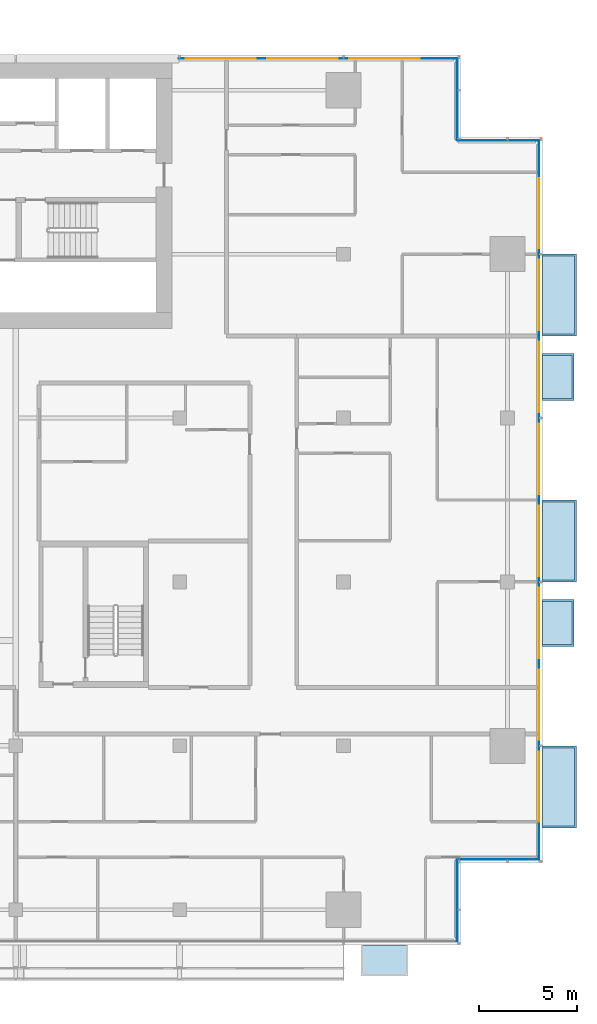
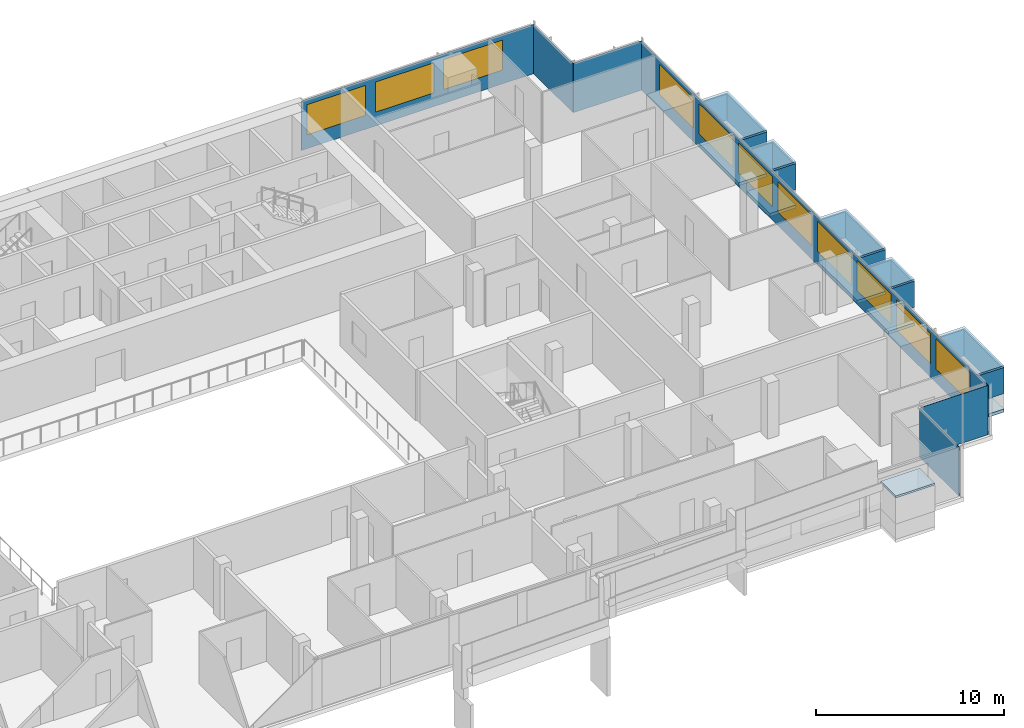
# One storey, part 16 of 28: 17 plates, 11 windows, 5 slabs, 11 openings, 6 elements without a shape of their own.
"""IFC4 building model written with IfcOpenShell, lengths in metres."""

from ifc_helpers import new_model, si_unit, direction, frame, frame_2d, origin, place, context, subcontext, project, spatial, polyline, rectangle, outline, extrude, material, layer, layer_set, type_object, element, fill, aggregate, save


model = new_model("IFC4")

# Units and contexts
model_context = context("Model", 3, precision=1e-05, world=origin(), true_north=direction((0.0, 1.0)))
body_context = subcontext(model_context, "Body", "Model", "MODEL_VIEW")
ifc_project = project(units=[si_unit("LENGTHUNIT", "METRE"), si_unit("AREAUNIT", "SQUARE_METRE"), si_unit("VOLUMEUNIT", "CUBIC_METRE"), si_unit("PLANEANGLEUNIT", "RADIAN"), si_unit("MASSUNIT", "GRAM", prefix="KILO")], contexts=[model_context])

# Site, building, storey
site_placement = place(None, origin())
site = spatial("IfcSite", under=ifc_project, at=site_placement, CompositionType="ELEMENT")
building_placement = place(site_placement, origin())
building = spatial("IfcBuilding", under=site, at=building_placement, Name="Saffron Gate Tower", CompositionType="ELEMENT")
storey_placement = place(building_placement, frame((0.0, 0.0, 154.64990234375)))
storey = spatial("IfcBuildingStorey", under=building, at=storey_placement, Name="L37", CompositionType="ELEMENT", Elevation=154.64990234375)

# Curtain wall, plate, openings, windows
ifc_material_1 = material(Name="Aluminium, bronze anodised", Category="aluminium")
curtain_wall_type_1 = type_object("IfcCurtainWallType", Name="CWS2 curtain wall side facades", PredefinedType="NOTDEFINED", material=ifc_material_1)
curtain_wall_1_placement = place(storey_placement, origin())
curtain_wall_1 = element("IfcCurtainWall", 1, at=curtain_wall_1_placement, inside=storey, type_object=curtain_wall_type_1, Name="CWS2 run 4", PredefinedType="NOTDEFINED")
ifc_material_2 = material(Name="Fritted bronze-tinted laminated glass", Category="glass")
ifc_layer_1 = layer(ifc_material_2, 0.028076171875)
ifc_layer_set_1 = layer_set([ifc_layer_1], Name="CWS2 fixed glass")
plate_type_1 = type_object("IfcPlateType", Name="CWS2 fixed glass", PredefinedType="CURTAIN_PANEL", material=ifc_layer_set_1)
plate_1_placement = place(storey_placement, frame((127.02587890625, 34.387939453125, 0.0), z_axis=(0.0, 0.0, 1.0), x_axis=(0.0, 1.0, 0.0)))
plate_1 = element("IfcPlate", 2, at=plate_1_placement, type_object=plate_type_1, Name="CWS2 glass panel", PredefinedType="CURTAIN_PANEL", context=body_context, shape_type="SweptSolid", body=[
    extrude(rectangle(XDim=36.823974609375, YDim=0.028076171875, at=frame_2d((18.412109375, 0.0))), origin(), (0.0, 0.0, 1.0), 3.2001953125),
])
opening_1_placement = place(plate_1_placement, frame((1.912109375, 0.0, 0.89990234375)))
opening_1 = element("IfcOpeningElement", 3, at=opening_1_placement, cuts=plate_1, Name="Opening W1", PredefinedType="OPENING", context=body_context, shape_type="SweptSolid", body=[
    extrude(rectangle(XDim=3.60009765625, YDim=1.949951171875, at=frame_2d((1.800048828125, 0.97509765625))), frame((0.0, 0.02392578125, 0.0), z_axis=(0.0, -1.0, 0.0), x_axis=(1.0, 0.0, 0.0)), (0.0, 0.0, 1.0), 0.048095703125),
])
opening_2_placement = place(plate_1_placement, frame((6.112060546875, 0.0, 0.89990234375)))
opening_2 = element("IfcOpeningElement", 4, at=opening_2_placement, cuts=plate_1, Name="Opening W1", PredefinedType="OPENING", context=body_context, shape_type="SweptSolid", body=[
    extrude(rectangle(XDim=3.60009765625, YDim=1.949951171875, at=frame_2d((1.800048828125, 0.97509765625))), frame((0.0, 0.02392578125, 0.0), z_axis=(0.0, -1.0, 0.0), x_axis=(1.0, 0.0, 0.0)), (0.0, 0.0, 1.0), 0.048095703125),
])
opening_3_placement = place(plate_1_placement, frame((10.31201171875, 0.0, 0.89990234375)))
opening_3 = element("IfcOpeningElement", 5, at=opening_3_placement, cuts=plate_1, Name="Opening W1", PredefinedType="OPENING", context=body_context, shape_type="SweptSolid", body=[
    extrude(rectangle(XDim=3.60009765625, YDim=1.949951171875, at=frame_2d((1.800048828125, 0.97509765625))), frame((0.0, 0.02392578125, 0.0), z_axis=(0.0, -1.0, 0.0), x_axis=(1.0, 0.0, 0.0)), (0.0, 0.0, 1.0), 0.048095703125),
])
opening_4_placement = place(plate_1_placement, frame((14.511962890625, 0.0, 0.89990234375)))
opening_4 = element("IfcOpeningElement", 6, at=opening_4_placement, cuts=plate_1, Name="Opening W1", PredefinedType="OPENING", context=body_context, shape_type="SweptSolid", body=[
    extrude(rectangle(XDim=3.60009765625, YDim=1.949951171875, at=frame_2d((1.800048828125, 0.97509765625))), frame((0.0, 0.02392578125, 0.0), z_axis=(0.0, -1.0, 0.0), x_axis=(1.0, 0.0, 0.0)), (0.0, 0.0, 1.0), 0.048095703125),
])
opening_5_placement = place(plate_1_placement, frame((18.7119140625, 0.0, 0.89990234375)))
opening_5 = element("IfcOpeningElement", 7, at=opening_5_placement, cuts=plate_1, Name="Opening W1", PredefinedType="OPENING", context=body_context, shape_type="SweptSolid", body=[
    extrude(rectangle(XDim=3.60009765625, YDim=1.949951171875, at=frame_2d((1.800048828125, 0.97509765625))), frame((0.0, 0.02392578125, 0.0), z_axis=(0.0, -1.0, 0.0), x_axis=(1.0, 0.0, 0.0)), (0.0, 0.0, 1.0), 0.048095703125),
])
opening_6_placement = place(plate_1_placement, frame((22.912109375, 0.0, 0.89990234375)))
opening_6 = element("IfcOpeningElement", 8, at=opening_6_placement, cuts=plate_1, Name="Opening W1", PredefinedType="OPENING", context=body_context, shape_type="SweptSolid", body=[
    extrude(rectangle(XDim=3.60009765625, YDim=1.949951171875, at=frame_2d((1.800048828125, 0.97509765625))), frame((0.0, 0.02392578125, 0.0), z_axis=(0.0, -1.0, 0.0), x_axis=(1.0, 0.0, 0.0)), (0.0, 0.0, 1.0), 0.048095703125),
])
opening_7_placement = place(plate_1_placement, frame((27.112060546875, 0.0, 0.89990234375)))
opening_7 = element("IfcOpeningElement", 9, at=opening_7_placement, cuts=plate_1, Name="Opening W1", PredefinedType="OPENING", context=body_context, shape_type="SweptSolid", body=[
    extrude(rectangle(XDim=3.60009765625, YDim=1.949951171875, at=frame_2d((1.800048828125, 0.97509765625))), frame((0.0, 0.02392578125, 0.0), z_axis=(0.0, -1.0, 0.0), x_axis=(1.0, 0.0, 0.0)), (0.0, 0.0, 1.0), 0.048095703125),
])
opening_8_placement = place(plate_1_placement, frame((31.31201171875, 0.0, 0.89990234375)))
opening_8 = element("IfcOpeningElement", 10, at=opening_8_placement, cuts=plate_1, Name="Opening W1", PredefinedType="OPENING", context=body_context, shape_type="SweptSolid", body=[
    extrude(rectangle(XDim=3.60009765625, YDim=1.949951171875, at=frame_2d((1.800048828125, 0.97509765625))), frame((0.0, 0.02392578125, 0.0), z_axis=(0.0, -1.0, 0.0), x_axis=(1.0, 0.0, 0.0)), (0.0, 0.0, 1.0), 0.048095703125),
])
ifc_material_3 = material(Name="Fritted bronze-tinted laminated glass in bronze frame", Category="glass")
ifc_layer_2 = layer(ifc_material_3, 0.06005859375)
ifc_layer_set_2 = layer_set([ifc_layer_2], Name="W1 operable panel 3600x1950")
window_type = type_object("IfcWindowType", Name="W1 operable panel 3600x1950", PartitioningType="DOUBLE_PANEL_HORIZONTAL", PredefinedType="WINDOW", material=ifc_layer_set_2)
window_1_placement = place(opening_1_placement, origin())
window_1 = element("IfcWindow", 11, at=window_1_placement, type_object=window_type, Name="W1 operable panel", OverallHeight=1.949951171875, OverallWidth=3.60009765625, PartitioningType="SINGLE_PANEL", PredefinedType="WINDOW", context=body_context, shape_type="SweptSolid", body=[
    extrude(rectangle(XDim=3.60009765625, YDim=1.949951171875, at=frame_2d((1.800048828125, 0.97509765625))), frame((0.0, 0.013671875, 0.0), z_axis=(0.0, -1.0, 0.0), x_axis=(1.0, 0.0, 0.0)), (0.0, 0.0, 1.0), 0.027587890625),
])
fill(opening_1, window_1)
window_2_placement = place(opening_2_placement, origin())
window_2 = element("IfcWindow", 12, at=window_2_placement, type_object=window_type, Name="W1 operable panel", OverallHeight=1.949951171875, OverallWidth=3.60009765625, PartitioningType="SINGLE_PANEL", PredefinedType="WINDOW", context=body_context, shape_type="SweptSolid", body=[
    extrude(rectangle(XDim=3.60009765625, YDim=1.949951171875, at=frame_2d((1.800048828125, 0.97509765625))), frame((0.0, 0.013671875, 0.0), z_axis=(0.0, -1.0, 0.0), x_axis=(1.0, 0.0, 0.0)), (0.0, 0.0, 1.0), 0.027587890625),
])
fill(opening_2, window_2)
window_3_placement = place(opening_3_placement, origin())
window_3 = element("IfcWindow", 13, at=window_3_placement, type_object=window_type, Name="W1 operable panel", OverallHeight=1.949951171875, OverallWidth=3.60009765625, PartitioningType="SINGLE_PANEL", PredefinedType="WINDOW", context=body_context, shape_type="SweptSolid", body=[
    extrude(rectangle(XDim=3.60009765625, YDim=1.949951171875, at=frame_2d((1.800048828125, 0.97509765625))), frame((0.0, 0.013671875, 0.0), z_axis=(0.0, -1.0, 0.0), x_axis=(1.0, 0.0, 0.0)), (0.0, 0.0, 1.0), 0.027587890625),
])
fill(opening_3, window_3)
window_4_placement = place(opening_4_placement, origin())
window_4 = element("IfcWindow", 14, at=window_4_placement, type_object=window_type, Name="W1 operable panel", OverallHeight=1.949951171875, OverallWidth=3.60009765625, PartitioningType="SINGLE_PANEL", PredefinedType="WINDOW", context=body_context, shape_type="SweptSolid", body=[
    extrude(rectangle(XDim=3.60009765625, YDim=1.949951171875, at=frame_2d((1.800048828125, 0.97509765625))), frame((0.0, 0.013671875, 0.0), z_axis=(0.0, -1.0, 0.0), x_axis=(1.0, 0.0, 0.0)), (0.0, 0.0, 1.0), 0.027587890625),
])
fill(opening_4, window_4)
window_5_placement = place(opening_5_placement, origin())
window_5 = element("IfcWindow", 15, at=window_5_placement, type_object=window_type, Name="W1 operable panel", OverallHeight=1.949951171875, OverallWidth=3.60009765625, PartitioningType="SINGLE_PANEL", PredefinedType="WINDOW", context=body_context, shape_type="SweptSolid", body=[
    extrude(rectangle(XDim=3.60009765625, YDim=1.949951171875, at=frame_2d((1.800048828125, 0.97509765625))), frame((0.0, 0.013671875, 0.0), z_axis=(0.0, -1.0, 0.0), x_axis=(1.0, 0.0, 0.0)), (0.0, 0.0, 1.0), 0.027587890625),
])
fill(opening_5, window_5)
window_6_placement = place(opening_6_placement, origin())
window_6 = element("IfcWindow", 16, at=window_6_placement, type_object=window_type, Name="W1 operable panel", OverallHeight=1.949951171875, OverallWidth=3.60009765625, PartitioningType="SINGLE_PANEL", PredefinedType="WINDOW", context=body_context, shape_type="SweptSolid", body=[
    extrude(rectangle(XDim=3.60009765625, YDim=1.949951171875, at=frame_2d((1.800048828125, 0.97509765625))), frame((0.0, 0.013671875, 0.0), z_axis=(0.0, -1.0, 0.0), x_axis=(1.0, 0.0, 0.0)), (0.0, 0.0, 1.0), 0.027587890625),
])
fill(opening_6, window_6)
window_7_placement = place(opening_7_placement, origin())
window_7 = element("IfcWindow", 17, at=window_7_placement, type_object=window_type, Name="W1 operable panel", OverallHeight=1.949951171875, OverallWidth=3.60009765625, PartitioningType="SINGLE_PANEL", PredefinedType="WINDOW", context=body_context, shape_type="SweptSolid", body=[
    extrude(rectangle(XDim=3.60009765625, YDim=1.949951171875, at=frame_2d((1.800048828125, 0.97509765625))), frame((0.0, 0.013671875, 0.0), z_axis=(0.0, -1.0, 0.0), x_axis=(1.0, 0.0, 0.0)), (0.0, 0.0, 1.0), 0.027587890625),
])
fill(opening_7, window_7)
window_8_placement = place(opening_8_placement, origin())
window_8 = element("IfcWindow", 18, at=window_8_placement, type_object=window_type, Name="W1 operable panel", OverallHeight=1.949951171875, OverallWidth=3.60009765625, PartitioningType="SINGLE_PANEL", PredefinedType="WINDOW", context=body_context, shape_type="SweptSolid", body=[
    extrude(rectangle(XDim=3.60009765625, YDim=1.949951171875, at=frame_2d((1.800048828125, 0.97509765625))), frame((0.0, 0.013671875, 0.0), z_axis=(0.0, -1.0, 0.0), x_axis=(1.0, 0.0, 0.0)), (0.0, 0.0, 1.0), 0.027587890625),
])
fill(opening_8, window_8)
aggregate(curtain_wall_1, [plate_1, window_1, window_2, window_3, window_4, window_5, window_6, window_7, window_8])

curtain_wall_type_2 = type_object("IfcCurtainWallType", Name="CWS3 curtain wall rear facade", PredefinedType="NOTDEFINED", material=ifc_material_1)
curtain_wall_2_placement = place(storey_placement, origin())
curtain_wall_2 = element("IfcCurtainWall", 19, at=curtain_wall_2_placement, inside=storey, type_object=curtain_wall_type_2, Name="CWS3 run 7", PredefinedType="NOTDEFINED")
ifc_material_4 = material(Name="Fritted grey-tinted laminated glass", Category="glass")
ifc_layer_3 = layer(ifc_material_4, 0.028076171875)
ifc_layer_set_3 = layer_set([ifc_layer_3], Name="CWS3 fixed glass")
plate_type_2 = type_object("IfcPlateType", Name="CWS3 fixed glass", PredefinedType="CURTAIN_PANEL", material=ifc_layer_set_3)
plate_2_placement = place(storey_placement, frame((122.81201171875, 75.426025390625, 0.0), z_axis=(0.0, 0.0, 1.0), x_axis=(-1.0, 0.0, 0.0)))
plate_2 = element("IfcPlate", 20, at=plate_2_placement, type_object=plate_type_2, Name="CWS3 glass panel", PredefinedType="CURTAIN_PANEL", context=body_context, shape_type="SweptSolid", body=[
    extrude(rectangle(XDim=14.2470703125, YDim=0.028076171875, at=frame_2d((7.12353515625, 0.0))), origin(), (0.0, 0.0, 1.0), 3.2001953125),
])
opening_9_placement = place(plate_2_placement, frame((1.912109375, 0.0, 0.89990234375)))
opening_9 = element("IfcOpeningElement", 21, at=opening_9_placement, cuts=plate_2, Name="Opening W1", PredefinedType="OPENING", context=body_context, shape_type="SweptSolid", body=[
    extrude(rectangle(XDim=3.60009765625, YDim=1.949951171875, at=frame_2d((1.800048828125, 0.97509765625))), frame((0.0, 0.02392578125, 0.0), z_axis=(0.0, -1.0, 0.0), x_axis=(1.0, 0.0, 0.0)), (0.0, 0.0, 1.0), 0.048095703125),
])
opening_10_placement = place(plate_2_placement, frame((6.112060546875, 0.0, 0.89990234375)))
opening_10 = element("IfcOpeningElement", 22, at=opening_10_placement, cuts=plate_2, Name="Opening W1", PredefinedType="OPENING", context=body_context, shape_type="SweptSolid", body=[
    extrude(rectangle(XDim=3.60009765625, YDim=1.949951171875, at=frame_2d((1.800048828125, 0.97509765625))), frame((0.0, 0.02392578125, 0.0), z_axis=(0.0, -1.0, 0.0), x_axis=(1.0, 0.0, 0.0)), (0.0, 0.0, 1.0), 0.048095703125),
])
opening_11_placement = place(plate_2_placement, frame((10.31201171875, 0.0, 0.89990234375)))
opening_11 = element("IfcOpeningElement", 23, at=opening_11_placement, cuts=plate_2, Name="Opening W1", PredefinedType="OPENING", context=body_context, shape_type="SweptSolid", body=[
    extrude(rectangle(XDim=3.60009765625, YDim=1.949951171875, at=frame_2d((1.800048828125, 0.97509765625))), frame((0.0, 0.02392578125, 0.0), z_axis=(0.0, -1.0, 0.0), x_axis=(1.0, 0.0, 0.0)), (0.0, 0.0, 1.0), 0.048095703125),
])
window_9_placement = place(opening_9_placement, origin())
window_9 = element("IfcWindow", 24, at=window_9_placement, type_object=window_type, Name="W1 operable panel", OverallHeight=1.949951171875, OverallWidth=3.60009765625, PartitioningType="SINGLE_PANEL", PredefinedType="WINDOW", context=body_context, shape_type="SweptSolid", body=[
    extrude(rectangle(XDim=3.60009765625, YDim=1.949951171875, at=frame_2d((1.800048828125, 0.97509765625))), frame((0.0, 0.013671875, 0.0), z_axis=(0.0, -1.0, 0.0), x_axis=(1.0, 0.0, 0.0)), (0.0, 0.0, 1.0), 0.027587890625),
])
fill(opening_9, window_9)
window_10_placement = place(opening_10_placement, origin())
window_10 = element("IfcWindow", 25, at=window_10_placement, type_object=window_type, Name="W1 operable panel", OverallHeight=1.949951171875, OverallWidth=3.60009765625, PartitioningType="SINGLE_PANEL", PredefinedType="WINDOW", context=body_context, shape_type="SweptSolid", body=[
    extrude(rectangle(XDim=3.60009765625, YDim=1.949951171875, at=frame_2d((1.800048828125, 0.97509765625))), frame((0.0, 0.013671875, 0.0), z_axis=(0.0, -1.0, 0.0), x_axis=(1.0, 0.0, 0.0)), (0.0, 0.0, 1.0), 0.027587890625),
])
fill(opening_10, window_10)
window_11_placement = place(opening_11_placement, origin())
window_11 = element("IfcWindow", 26, at=window_11_placement, type_object=window_type, Name="W1 operable panel", OverallHeight=1.949951171875, OverallWidth=3.60009765625, PartitioningType="SINGLE_PANEL", PredefinedType="WINDOW", context=body_context, shape_type="SweptSolid", body=[
    extrude(rectangle(XDim=3.60009765625, YDim=1.949951171875, at=frame_2d((1.800048828125, 0.97509765625))), frame((0.0, 0.013671875, 0.0), z_axis=(0.0, -1.0, 0.0), x_axis=(1.0, 0.0, 0.0)), (0.0, 0.0, 1.0), 0.027587890625),
])
fill(opening_11, window_11)
aggregate(curtain_wall_2, [plate_2, window_9, window_10, window_11])

# Curtain wall, plate
curtain_wall_type_3 = type_object("IfcCurtainWallType", Name="CWS4 curtain wall corner returns", PredefinedType="NOTDEFINED", material=ifc_material_1)
curtain_wall_3_placement = place(storey_placement, origin())
curtain_wall_3 = element("IfcCurtainWall", 27, at=curtain_wall_3_placement, inside=storey, type_object=curtain_wall_type_3, Name="CWS4 run 2", PredefinedType="NOTDEFINED")
ifc_layer_4 = layer(ifc_material_2, 0.028076171875)
ifc_layer_set_4 = layer_set([ifc_layer_4], Name="CWS4 fixed glass")
plate_type_3 = type_object("IfcPlateType", Name="CWS4 fixed glass", PredefinedType="CURTAIN_PANEL", material=ifc_layer_set_4)
plate_3_placement = place(storey_placement, frame((122.825927734375, 30.18798828125, 0.0), z_axis=(0.0, 0.0, 1.0), x_axis=(0.0, 1.0, 0.0)))
plate_3 = element("IfcPlate", 28, at=plate_3_placement, type_object=plate_type_3, Name="CWS4 glass panel", PredefinedType="CURTAIN_PANEL", context=body_context, shape_type="SweptSolid", body=[
    extrude(rectangle(XDim=4.172119140625, YDim=0.028076171875, at=frame_2d((2.0859375, 0.0))), origin(), (0.0, 0.0, 1.0), 3.2001953125),
])
aggregate(curtain_wall_3, [plate_3])

curtain_wall_4_placement = place(storey_placement, origin())
curtain_wall_4 = element("IfcCurtainWall", 29, at=curtain_wall_4_placement, inside=storey, type_object=curtain_wall_type_3, Name="CWS4 run 3", PredefinedType="NOTDEFINED")
plate_4_placement = place(storey_placement, frame((122.840087890625, 34.3740234375, 0.0), z_axis=(0.0, 0.0, 1.0), x_axis=(1.0, 0.0, 0.0)))
plate_4 = element("IfcPlate", 30, at=plate_4_placement, type_object=plate_type_3, Name="CWS4 glass panel", PredefinedType="CURTAIN_PANEL", context=body_context, shape_type="SweptSolid", body=[
    extrude(rectangle(XDim=4.171875, YDim=0.028076171875, at=frame_2d((2.0859375, 0.0))), origin(), (0.0, 0.0, 1.0), 3.2001953125),
])
aggregate(curtain_wall_4, [plate_4])

curtain_wall_5_placement = place(storey_placement, origin())
curtain_wall_5 = element("IfcCurtainWall", 31, at=curtain_wall_5_placement, inside=storey, type_object=curtain_wall_type_3, Name="CWS4 run 5", PredefinedType="NOTDEFINED")
plate_5_placement = place(storey_placement, frame((127.011962890625, 71.22607421875, 0.0), z_axis=(0.0, 0.0, 1.0), x_axis=(-1.0, 0.0, 0.0)))
plate_5 = element("IfcPlate", 32, at=plate_5_placement, type_object=plate_type_3, Name="CWS4 glass panel", PredefinedType="CURTAIN_PANEL", context=body_context, shape_type="SweptSolid", body=[
    extrude(rectangle(XDim=4.171875, YDim=0.028076171875, at=frame_2d((2.0859375, 0.0))), origin(), (0.0, 0.0, 1.0), 3.2001953125),
])
aggregate(curtain_wall_5, [plate_5])

curtain_wall_6_placement = place(storey_placement, origin())
curtain_wall_6 = element("IfcCurtainWall", 33, at=curtain_wall_6_placement, inside=storey, type_object=curtain_wall_type_3, Name="CWS4 run 6", PredefinedType="NOTDEFINED")
plate_6_placement = place(storey_placement, frame((122.825927734375, 71.239990234375, 0.0), z_axis=(0.0, 0.0, 1.0), x_axis=(0.0, 1.0, 0.0)))
plate_6 = element("IfcPlate", 34, at=plate_6_placement, type_object=plate_type_3, Name="CWS4 glass panel", PredefinedType="CURTAIN_PANEL", context=body_context, shape_type="SweptSolid", body=[
    extrude(rectangle(XDim=4.172119140625, YDim=0.028076171875, at=frame_2d((2.0859375, 0.0))), origin(), (0.0, 0.0, 1.0), 3.2001953125),
])
aggregate(curtain_wall_6, [plate_6])

# Slabs
ifc_material_5 = material(Name="Timber deck on bronze frame", Category="wood")
ifc_layer_5 = layer(ifc_material_5, 0.199951171875)
ifc_layer_set_5 = layer_set([ifc_layer_5], Name="WB1 box floor")
slab_type = type_object("IfcSlabType", Name="WB1 box floor", PredefinedType="FLOOR", material=ifc_layer_set_5)
slab_1_placement = place(storey_placement, frame((0.0, 0.0, -0.199951171875)))
element("IfcSlab", 35, at=slab_1_placement, inside=storey, type_object=slab_type, Name="WINDOW BOX floor", PredefinedType="FLOOR", context=body_context, shape_type="SweptSolid", body=[
    extrude(outline(polyline([(127.199951171875, 36.0), (127.199951171875, 40.199951171875), (128.93310546875, 40.199951171875), (128.93310546875, 36.0), (127.199951171875, 36.0)])), origin(), (0.0, 0.0, 1.0), 0.199951171875),
])
slab_2_placement = place(storey_placement, frame((0.0, 0.0, -0.199951171875)))
element("IfcSlab", 36, at=slab_2_placement, inside=storey, type_object=slab_type, Name="WINDOW BOX floor", PredefinedType="FLOOR", context=body_context, shape_type="SweptSolid", body=[
    extrude(outline(polyline([(127.199951171875, 45.300048828125), (127.199951171875, 47.699951171875), (128.800048828125, 47.699951171875), (128.800048828125, 45.300048828125), (127.199951171875, 45.300048828125)])), origin(), (0.0, 0.0, 1.0), 0.199951171875),
])
slab_3_placement = place(storey_placement, frame((0.0, 0.0, -0.199951171875)))
element("IfcSlab", 37, at=slab_3_placement, inside=storey, type_object=slab_type, Name="WINDOW BOX floor", PredefinedType="FLOOR", context=body_context, shape_type="SweptSolid", body=[
    extrude(outline(polyline([(127.199951171875, 48.60009765625), (127.199951171875, 52.800048828125), (128.93310546875, 52.800048828125), (128.93310546875, 48.60009765625), (127.199951171875, 48.60009765625)])), origin(), (0.0, 0.0, 1.0), 0.199951171875),
])
slab_4_placement = place(storey_placement, frame((0.0, 0.0, -0.199951171875)))
element("IfcSlab", 38, at=slab_4_placement, inside=storey, type_object=slab_type, Name="WINDOW BOX floor", PredefinedType="FLOOR", context=body_context, shape_type="SweptSolid", body=[
    extrude(outline(polyline([(127.199951171875, 57.89990234375), (127.199951171875, 60.300048828125), (128.800048828125, 60.300048828125), (128.800048828125, 57.89990234375), (127.199951171875, 57.89990234375)])), origin(), (0.0, 0.0, 1.0), 0.199951171875),
])
slab_5_placement = place(storey_placement, frame((0.0, 0.0, -0.199951171875)))
element("IfcSlab", 39, at=slab_5_placement, inside=storey, type_object=slab_type, Name="WINDOW BOX floor", PredefinedType="FLOOR", context=body_context, shape_type="SweptSolid", body=[
    extrude(outline(polyline([(127.199951171875, 61.199951171875), (127.199951171875, 65.39990234375), (128.93310546875, 65.39990234375), (128.93310546875, 61.199951171875), (127.199951171875, 61.199951171875)])), origin(), (0.0, 0.0, 1.0), 0.199951171875),
])

# Plates
ifc_layer_6 = layer(ifc_material_1, 0.1201171875)
ifc_layer_set_6 = layer_set([ifc_layer_6], Name="WB2 box roof")
plate_type_4 = type_object("IfcPlateType", Name="WB2 box roof", PredefinedType="SHEET", material=ifc_layer_set_6)
plate_7_placement = place(storey_placement, frame((0.0, 0.0, 2.7001953125)))
element("IfcPlate", 40, at=plate_7_placement, inside=storey, type_object=plate_type_4, Name="WINDOW BOX roof", PredefinedType="SHEET", context=body_context, shape_type="SweptSolid", body=[
    extrude(outline(polyline([(117.89990234375, 30.0), (120.300048828125, 30.0), (120.300048828125, 28.39990234375), (117.89990234375, 28.39990234375), (117.89990234375, 30.0)])), origin(), (0.0, 0.0, 1.0), 0.119873046875),
])
plate_8_placement = place(storey_placement, frame((0.0, 0.0, 2.7001953125)))
element("IfcPlate", 41, at=plate_8_placement, inside=storey, type_object=plate_type_4, Name="WINDOW BOX roof", PredefinedType="SHEET", context=body_context, shape_type="SweptSolid", body=[
    extrude(outline(polyline([(127.199951171875, 36.0), (127.199951171875, 40.199951171875), (128.93310546875, 40.199951171875), (128.93310546875, 36.0), (127.199951171875, 36.0)])), origin(), (0.0, 0.0, 1.0), 0.119873046875),
])
plate_9_placement = place(storey_placement, frame((0.0, 0.0, 2.7001953125)))
element("IfcPlate", 42, at=plate_9_placement, inside=storey, type_object=plate_type_4, Name="WINDOW BOX roof", PredefinedType="SHEET", context=body_context, shape_type="SweptSolid", body=[
    extrude(outline(polyline([(127.199951171875, 45.300048828125), (127.199951171875, 47.699951171875), (128.800048828125, 47.699951171875), (128.800048828125, 45.300048828125), (127.199951171875, 45.300048828125)])), origin(), (0.0, 0.0, 1.0), 0.119873046875),
])
plate_10_placement = place(storey_placement, frame((0.0, 0.0, 2.7001953125)))
element("IfcPlate", 43, at=plate_10_placement, inside=storey, type_object=plate_type_4, Name="WINDOW BOX roof", PredefinedType="SHEET", context=body_context, shape_type="SweptSolid", body=[
    extrude(outline(polyline([(127.199951171875, 48.60009765625), (127.199951171875, 52.800048828125), (128.93310546875, 52.800048828125), (128.93310546875, 48.60009765625), (127.199951171875, 48.60009765625)])), origin(), (0.0, 0.0, 1.0), 0.119873046875),
])
plate_11_placement = place(storey_placement, frame((0.0, 0.0, 2.7001953125)))
element("IfcPlate", 44, at=plate_11_placement, inside=storey, type_object=plate_type_4, Name="WINDOW BOX roof", PredefinedType="SHEET", context=body_context, shape_type="SweptSolid", body=[
    extrude(outline(polyline([(127.199951171875, 57.89990234375), (127.199951171875, 60.300048828125), (128.800048828125, 60.300048828125), (128.800048828125, 57.89990234375), (127.199951171875, 57.89990234375)])), origin(), (0.0, 0.0, 1.0), 0.119873046875),
])
plate_12_placement = place(storey_placement, frame((0.0, 0.0, 2.7001953125)))
element("IfcPlate", 45, at=plate_12_placement, inside=storey, type_object=plate_type_4, Name="WINDOW BOX roof", PredefinedType="SHEET", context=body_context, shape_type="SweptSolid", body=[
    extrude(outline(polyline([(127.199951171875, 61.199951171875), (127.199951171875, 65.39990234375), (128.93310546875, 65.39990234375), (128.93310546875, 61.199951171875), (127.199951171875, 61.199951171875)])), origin(), (0.0, 0.0, 1.0), 0.119873046875),
])
ifc_material_6 = material(Name="Clear low-iron laminated glass", Category="glass")
ifc_layer_7 = layer(ifc_material_6, 0.10009765625)
ifc_layer_set_7 = layer_set([ifc_layer_7], Name="WB6 box glazing")
plate_type_5 = type_object("IfcPlateType", Name="WB6 box glazing", PredefinedType="SHEET", material=ifc_layer_set_7)
plate_13_placement = place(storey_placement, frame((0.0, 0.0, 1.0)))
element("IfcPlate", 46, at=plate_13_placement, inside=storey, type_object=plate_type_5, Name="WINDOW BOX glazing", PredefinedType="SHEET", context=body_context, shape_type="SweptSolid", body=[
    extrude(outline(polyline([(127.199951171875, 36.0), (127.199951171875, 36.10009765625), (128.8330078125, 36.10009765625), (128.8330078125, 40.10009765625), (127.199951171875, 40.10009765625), (127.199951171875, 40.199951171875), (128.93310546875, 40.199951171875), (128.93310546875, 36.0), (127.199951171875, 36.0)])), origin(), (0.0, 0.0, 1.0), 1.7001953125),
])
plate_14_placement = place(storey_placement, frame((0.0, 0.0, 1.0)))
element("IfcPlate", 47, at=plate_14_placement, inside=storey, type_object=plate_type_5, Name="WINDOW BOX glazing", PredefinedType="SHEET", context=body_context, shape_type="SweptSolid", body=[
    extrude(outline(polyline([(127.199951171875, 45.300048828125), (127.199951171875, 45.39990234375), (128.699951171875, 45.39990234375), (128.699951171875, 47.60009765625), (127.199951171875, 47.60009765625), (127.199951171875, 47.699951171875), (128.800048828125, 47.699951171875), (128.800048828125, 45.300048828125), (127.199951171875, 45.300048828125)])), origin(), (0.0, 0.0, 1.0), 1.7001953125),
])
plate_15_placement = place(storey_placement, frame((0.0, 0.0, 1.0)))
element("IfcPlate", 48, at=plate_15_placement, inside=storey, type_object=plate_type_5, Name="WINDOW BOX glazing", PredefinedType="SHEET", context=body_context, shape_type="SweptSolid", body=[
    extrude(outline(polyline([(127.199951171875, 48.60009765625), (127.199951171875, 48.699951171875), (128.8330078125, 48.699951171875), (128.8330078125, 52.699951171875), (127.199951171875, 52.699951171875), (127.199951171875, 52.800048828125), (128.93310546875, 52.800048828125), (128.93310546875, 48.60009765625), (127.199951171875, 48.60009765625)])), origin(), (0.0, 0.0, 1.0), 1.7001953125),
])
plate_16_placement = place(storey_placement, frame((0.0, 0.0, 1.0)))
element("IfcPlate", 49, at=plate_16_placement, inside=storey, type_object=plate_type_5, Name="WINDOW BOX glazing", PredefinedType="SHEET", context=body_context, shape_type="SweptSolid", body=[
    extrude(outline(polyline([(127.199951171875, 57.89990234375), (127.199951171875, 58.0), (128.699951171875, 58.0), (128.699951171875, 60.199951171875), (127.199951171875, 60.199951171875), (127.199951171875, 60.300048828125), (128.800048828125, 60.300048828125), (128.800048828125, 57.89990234375), (127.199951171875, 57.89990234375)])), origin(), (0.0, 0.0, 1.0), 1.7001953125),
])
plate_17_placement = place(storey_placement, frame((0.0, 0.0, 1.0)))
element("IfcPlate", 50, at=plate_17_placement, inside=storey, type_object=plate_type_5, Name="WINDOW BOX glazing", PredefinedType="SHEET", context=body_context, shape_type="SweptSolid", body=[
    extrude(outline(polyline([(127.199951171875, 61.199951171875), (127.199951171875, 61.300048828125), (128.8330078125, 61.300048828125), (128.8330078125, 65.300048828125), (127.199951171875, 65.300048828125), (127.199951171875, 65.39990234375), (128.93310546875, 65.39990234375), (128.93310546875, 61.199951171875), (127.199951171875, 61.199951171875)])), origin(), (0.0, 0.0, 1.0), 1.7001953125),
])

save(model, "model.ifc")
